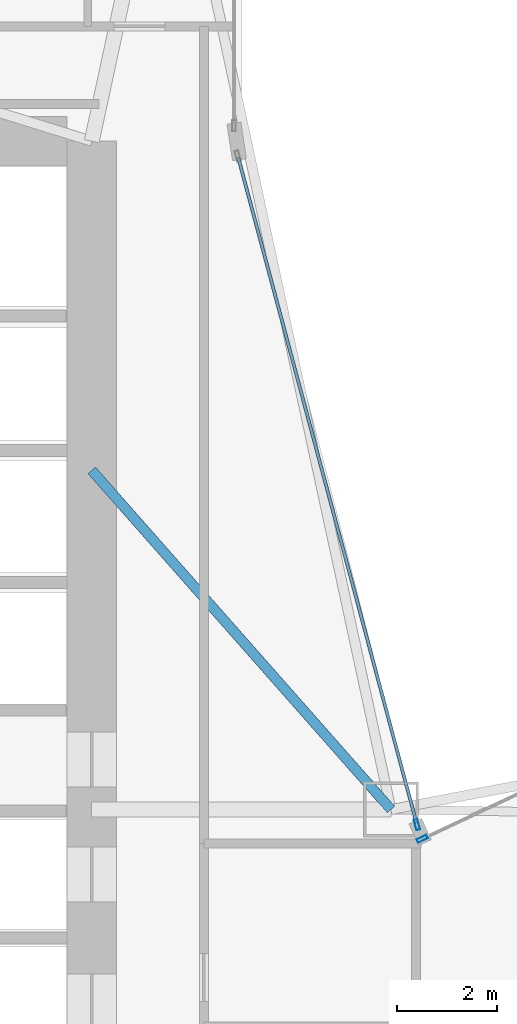
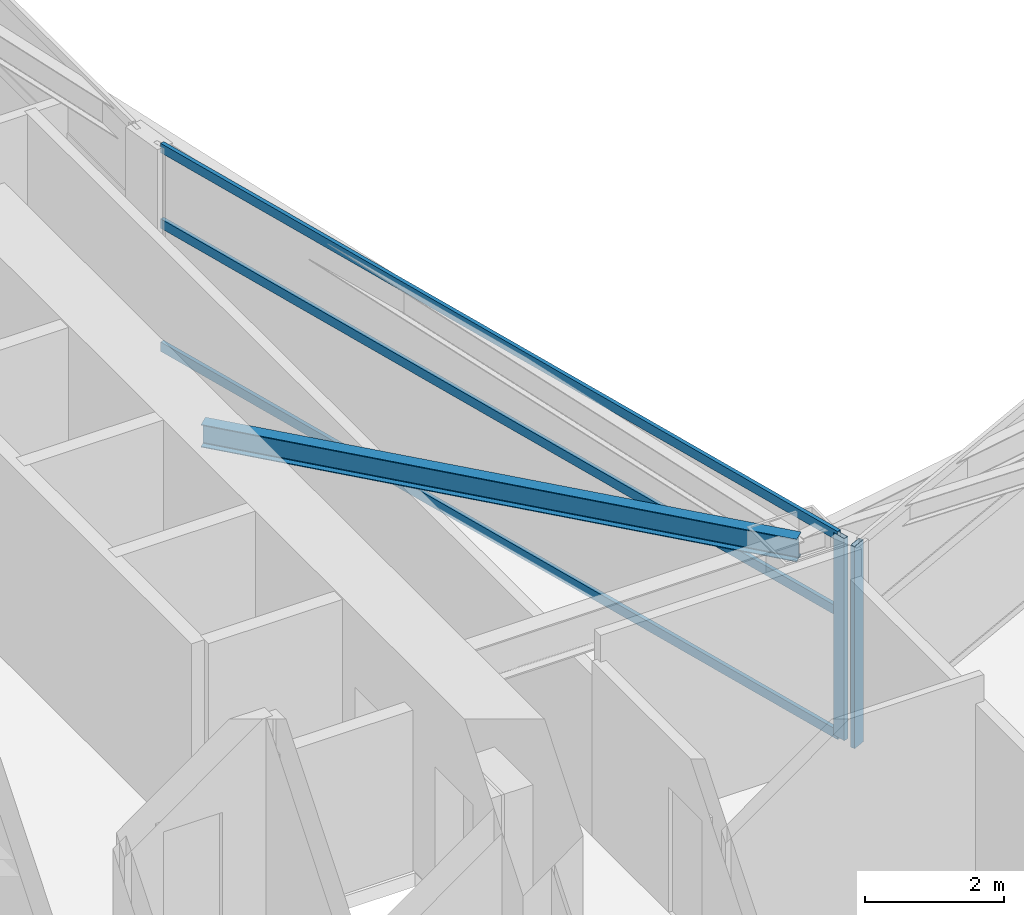
# One storey, part 10 of 30: 5 members, 1 beam, 2 elements without a shape of their own.
"""IFC4 building model written with IfcOpenShell, lengths in metres."""

from ifc_helpers import new_model, si_unit, direction, frame, origin, origin_2d, place, context, subcontext, project, spatial, hollow_rectangle, i_section, extrude, material, layer, layer_set, material_profile, profile_set, type_object, element, aggregate, save


model = new_model("IFC4")

# Units and contexts
model_context = context("Model", 3, precision=1e-05, world=origin(), true_north=direction((0.0, 1.0)))
body_context = subcontext(model_context, "Body", "Model", "MODEL_VIEW")
ifc_project = project(units=[si_unit("LENGTHUNIT", "METRE"), si_unit("AREAUNIT", "SQUARE_METRE"), si_unit("VOLUMEUNIT", "CUBIC_METRE"), si_unit("PLANEANGLEUNIT", "RADIAN"), si_unit("MASSUNIT", "GRAM", prefix="KILO")], contexts=[model_context])

# Site, building, storey
site_placement = place(None, origin())
site = spatial("IfcSite", under=ifc_project, at=site_placement, CompositionType="ELEMENT")
building_placement = place(site_placement, origin())
building = spatial("IfcBuilding", under=site, at=building_placement, Name="Calvorn Quay Hotel", CompositionType="ELEMENT")
storey_placement = place(building_placement, frame((0.0, 0.0, 77.39990234375)))
storey = spatial("IfcBuildingStorey", under=building, at=storey_placement, Name="L18", CompositionType="ELEMENT", Elevation=77.39990234375)

# Beam
ifc_material_1 = material(Name="Steel Q355B", Category="steel")
ifc_material_profile_1 = material_profile(ifc_material_1, i_section(OverallWidth=0.199951171875, OverallDepth=0.39990234375, WebThickness=0.008056640625, FlangeThickness=0.012939453125, FilletRadius=0.01611328125, at=origin_2d()), Name="HN400x200x8x13")
ifc_profile_set_1 = profile_set([ifc_material_profile_1], Name="Steel Q355B")
beam_type = type_object("IfcBeamType", Name="BM-JOIST-TYP", PredefinedType="JOIST", material=ifc_profile_set_1)
beam_placement = place(storey_placement, frame((15.0, 31.800048828125, 3.340087890625), z_axis=(0.661618965899, -0.749840212287, 0.0), x_axis=(0.749840212287, 0.661618965899, 0.0)))
element("IfcBeam", 1, at=beam_placement, inside=storey, type_object=beam_type, Name="Beam BJ-L18-C1", PredefinedType="JOIST", context=body_context, shape_type="SweptSolid", body=[
    extrude(i_section(OverallWidth=0.199951171875, OverallDepth=0.39990234375, WebThickness=0.008056640625, FlangeThickness=0.012939453125, FilletRadius=0.01611328125, at=origin_2d()), origin(), (0.0, 0.0, 1.0), 9.068603515625),
])

# Curtain wall, member
ifc_material_2 = material(Name="Pale Anodised Aluminium and Low-E Glass", Category="aluminium")
ifc_layer = layer(ifc_material_2, 0.219970703125)
ifc_layer_set = layer_set([ifc_layer], Name="CW-SYS-Z1")
curtain_wall_type = type_object("IfcCurtainWallType", Name="CW-SYS-Z1", PredefinedType="NOTDEFINED", material=ifc_layer_set)
curtain_wall_1_placement = place(storey_placement, origin())
curtain_wall_1 = element("IfcCurtainWall", 2, at=curtain_wall_1_placement, inside=storey, type_object=curtain_wall_type, Name="Inner Court Curtain Wall L18-NE1", PredefinedType="NOTDEFINED")
ifc_material_3 = material(Name="Pale Anodised Aluminium 6063-T6", Category="aluminium")
ifc_material_profile_2 = material_profile(ifc_material_3, hollow_rectangle(XDim=0.074951171875, YDim=0.219970703125, WallThickness=0.00439453125, at=origin_2d()), Name="ALU-M220x75x4.5")
ifc_profile_set_2 = profile_set([ifc_material_profile_2], Name="Pale Anodised Aluminium 6063-T6")
member_type_1 = type_object("IfcMemberType", Name="CW-SYS-Z1-MUL", PredefinedType="MULLION", material=ifc_profile_set_2)
member_1_placement = place(storey_placement, frame((21.627197265625, 24.412841796875, 0.0), z_axis=(0.0, 0.0, 1.0), x_axis=(0.427006305415, -0.904248646743, 0.0)))
member_1 = element("IfcMember", 3, at=member_1_placement, type_object=member_type_1, Name="CW-L18-NE1 mullion 4", PredefinedType="MULLION", context=body_context, shape_type="SweptSolid", body=[
    extrude(hollow_rectangle(XDim=0.074951171875, YDim=0.219970703125, WallThickness=0.00439453125, at=origin_2d()), origin(), (0.0, 0.0, 1.0), 3.56005859375),
])
aggregate(curtain_wall_1, [member_1])

# Curtain wall, members
curtain_wall_2_placement = place(storey_placement, origin())
curtain_wall_2 = element("IfcCurtainWall", 4, at=curtain_wall_2_placement, inside=storey, type_object=curtain_wall_type, Name="Inner Court Curtain Wall L18-IC1", PredefinedType="NOTDEFINED")
member_2_placement = place(storey_placement, frame((21.520263671875, 24.698974609375, 0.0), z_axis=(0.0, 0.0, 1.0), x_axis=(-0.96593652056, -0.25877913024, 0.0)))
member_2 = element("IfcMember", 5, at=member_2_placement, type_object=member_type_1, Name="CW-L18-IC1 mullion 1", PredefinedType="MULLION", context=body_context, shape_type="SweptSolid", body=[
    extrude(hollow_rectangle(XDim=0.074951171875, YDim=0.219970703125, WallThickness=0.00439453125, at=origin_2d()), origin(), (0.0, 0.0, 1.0), 3.56005859375),
])
ifc_material_4 = material(Name="Pale Anodised Aluminium 6063-T6", Category="aluminium")
ifc_material_profile_3 = material_profile(ifc_material_4, hollow_rectangle(XDim=0.06494140625, YDim=0.1650390625, WallThickness=0.00341796875, at=origin_2d()), Name="ALU-T165x65x3.5")
ifc_profile_set_3 = profile_set([ifc_material_profile_3], Name="Pale Anodised Aluminium 6063-T6")
member_type_2 = type_object("IfcMemberType", Name="CW-SYS-Z1-TRN", PredefinedType="USERDEFINED", material=ifc_profile_set_3)
member_3_placement = place(storey_placement, frame((21.512451171875, 24.72802734375, 0.030029296875), z_axis=(-0.258781136883, 0.965935982969, 0.0), x_axis=(-0.965935982969, -0.258781136883, 0.0)))
member_3 = element("IfcMember", 6, at=member_3_placement, type_object=member_type_2, Name="CW-L18-IC1 transom 1.1", ObjectType="TRANSOM", PredefinedType="USERDEFINED", context=body_context, shape_type="SweptSolid", body=[
    extrude(hollow_rectangle(XDim=0.06494140625, YDim=0.1650390625, WallThickness=0.00341796875, at=origin_2d()), origin(), (0.0, 0.0, 1.0), 13.814453125),
])
member_4_placement = place(storey_placement, frame((21.512451171875, 24.72802734375, 2.2001953125), z_axis=(-0.258781136883, 0.965935982969, 0.0), x_axis=(-0.965935982969, -0.258781136883, 0.0)))
member_4 = element("IfcMember", 7, at=member_4_placement, type_object=member_type_2, Name="CW-L18-IC1 transom 1.2", ObjectType="TRANSOM", PredefinedType="USERDEFINED", context=body_context, shape_type="SweptSolid", body=[
    extrude(hollow_rectangle(XDim=0.06494140625, YDim=0.1650390625, WallThickness=0.00341796875, at=origin_2d()), origin(), (0.0, 0.0, 1.0), 13.814453125),
])
member_5_placement = place(storey_placement, frame((21.512451171875, 24.72802734375, 3.530029296875), z_axis=(-0.258781136883, 0.965935982969, 0.0), x_axis=(-0.965935982969, -0.258781136883, 0.0)))
member_5 = element("IfcMember", 8, at=member_5_placement, type_object=member_type_2, Name="CW-L18-IC1 transom 1.3", ObjectType="TRANSOM", PredefinedType="USERDEFINED", context=body_context, shape_type="SweptSolid", body=[
    extrude(hollow_rectangle(XDim=0.06494140625, YDim=0.1650390625, WallThickness=0.00341796875, at=origin_2d()), origin(), (0.0, 0.0, 1.0), 13.814453125),
])
aggregate(curtain_wall_2, [member_2, member_3, member_4, member_5])

save(model, "model.ifc")
